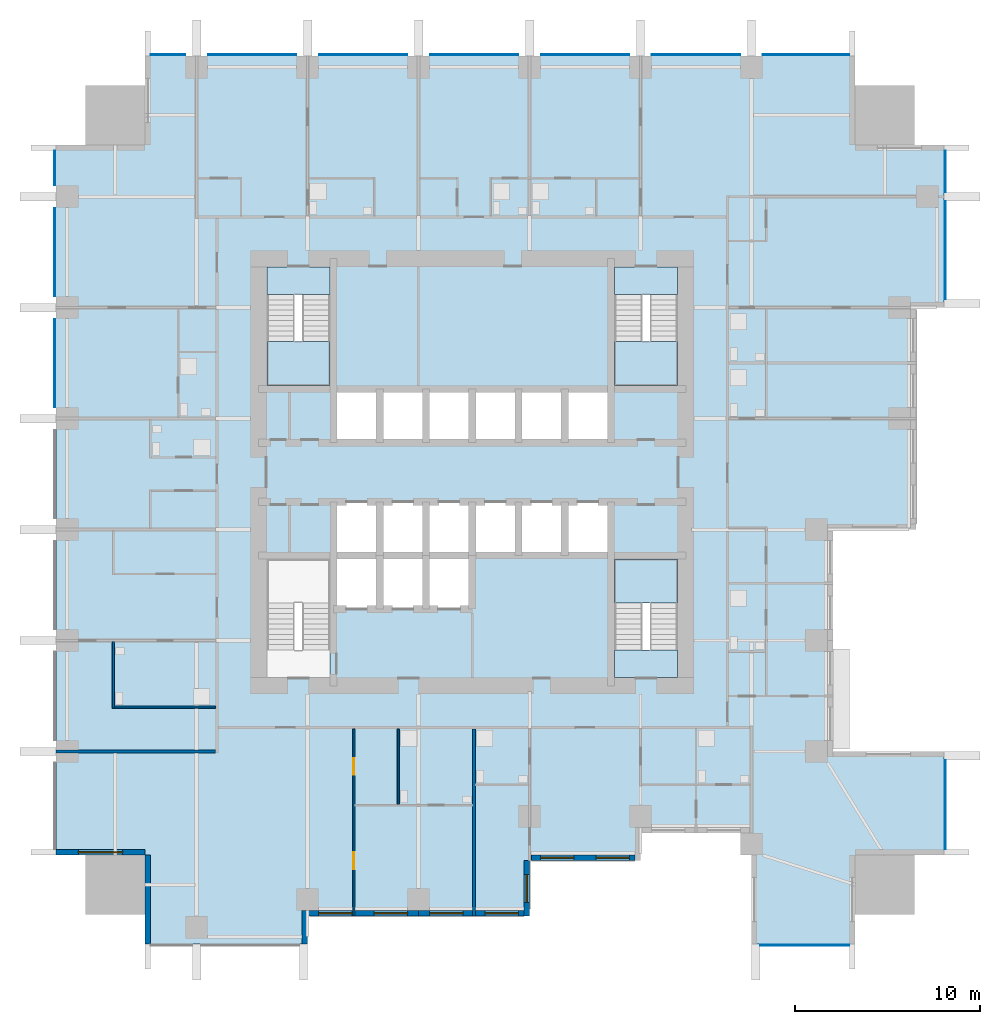
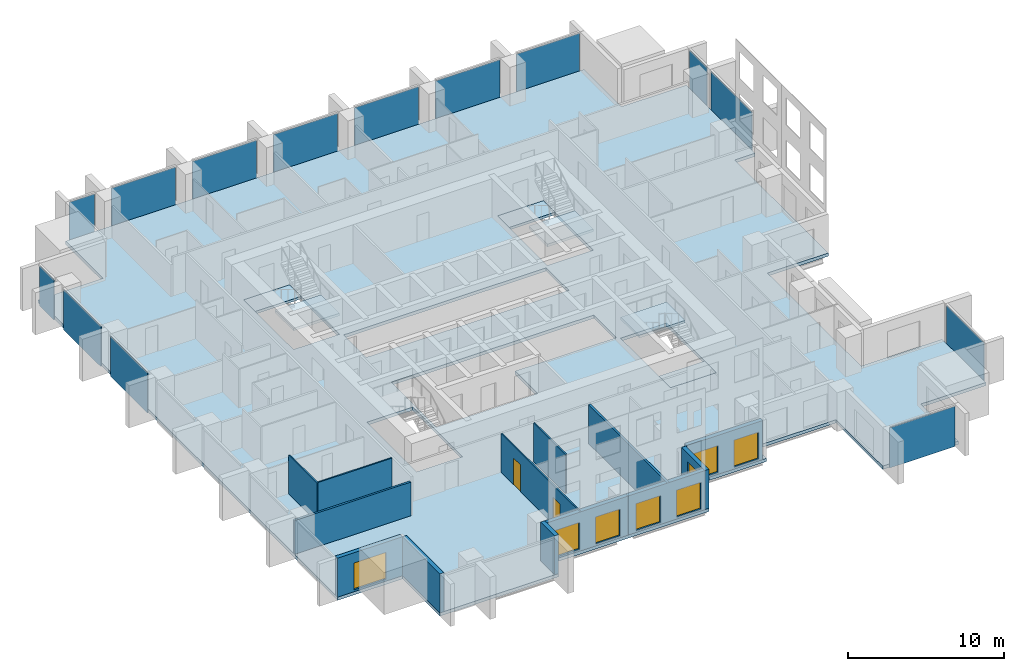
# One storey, part 3 of 11: 14 plates, 13 walls, 8 windows, 7 slabs, 2 doors, 10 openings, 8 elements without a shape of their own.
"""IFC4 building model written with IfcOpenShell, lengths in metres."""

from ifc_helpers import new_model, si_unit, direction, frame, frame_2d, origin, origin_2d, place, context, subcontext, project, spatial, polyline, rectangle, outline, extrude, material, layer, layer_set, type_object, element, fill, aggregate, save


model = new_model("IFC4")

# Units and contexts
model_context = context("Model", 3, precision=1e-05, world=origin(), true_north=direction((0.0, 1.0)))
body_context = subcontext(model_context, "Body", "Model", "MODEL_VIEW")
ifc_project = project(units=[si_unit("LENGTHUNIT", "METRE"), si_unit("AREAUNIT", "SQUARE_METRE"), si_unit("VOLUMEUNIT", "CUBIC_METRE"), si_unit("PLANEANGLEUNIT", "RADIAN"), si_unit("MASSUNIT", "GRAM", prefix="KILO")], contexts=[model_context])

# Site, building, storey
site_placement = place(None, origin())
site = spatial("IfcSite", under=ifc_project, at=site_placement, CompositionType="ELEMENT")
building_placement = place(site_placement, origin())
building = spatial("IfcBuilding", under=site, at=building_placement, Name="Amberfall Residences", CompositionType="ELEMENT")
storey_placement = place(building_placement, frame((0.0, 0.0, 59.800048828125)))
storey = spatial("IfcBuildingStorey", under=building, at=storey_placement, Name="L16", CompositionType="ELEMENT", Elevation=59.800048828125)

# Curtain wall, plate
ifc_material_1 = material(Name="Bronze anodised aluminium and glass", Category="aluminium")
curtain_wall_type = type_object("IfcCurtainWallType", Name="Curtain wall CW1 tower unit", PredefinedType="USERDEFINED", material=ifc_material_1)
curtain_wall_1_placement = place(storey_placement, origin())
curtain_wall_1 = element("IfcCurtainWall", 1, at=curtain_wall_1_placement, inside=storey, type_object=curtain_wall_type, Name="Curtain wall L16 S S10", ObjectType="UNITISED CURTAIN WALL", PredefinedType="USERDEFINED")
ifc_material_2 = material(Name="Tinted double glazed unit", Category="glass")
ifc_layer_1 = layer(ifc_material_2, 0.035888671875)
ifc_layer_set_1 = layer_set([ifc_layer_1], Name="CW1 panel 36 glazing")
plate_type = type_object("IfcPlateType", Name="CW1 panel 36 glazing", PredefinedType="CURTAIN_PANEL", material=ifc_layer_set_1)
plate_1_placement = place(storey_placement, frame((92.47509765625, 19.925048828125, -0.25), z_axis=(0.0, 0.0, 1.0), x_axis=(1.0, 0.0, 0.0)))
plate_1 = element("IfcPlate", 2, at=plate_1_placement, type_object=plate_type, Name="CW1 panel 1.1", PredefinedType="CURTAIN_PANEL", context=body_context, shape_type="SweptSolid", body=[
    extrude(rectangle(XDim=4.825927734375, YDim=0.035888671875, at=origin_2d()), origin(), (0.0, 0.0, 1.0), 3.14990234375),
])
aggregate(curtain_wall_1, [plate_1])

curtain_wall_2_placement = place(storey_placement, origin())
curtain_wall_2 = element("IfcCurtainWall", 3, at=curtain_wall_2_placement, inside=storey, type_object=curtain_wall_type, Name="Curtain wall L16 E E1", ObjectType="UNITISED CURTAIN WALL", PredefinedType="USERDEFINED")
plate_2_placement = place(storey_placement, frame((100.074951171875, 27.52490234375, -0.25), z_axis=(0.0, 0.0, 1.0), x_axis=(0.0, 1.0, 0.0)))
plate_2 = element("IfcPlate", 4, at=plate_2_placement, type_object=plate_type, Name="CW1 panel 1.1", PredefinedType="CURTAIN_PANEL", context=body_context, shape_type="SweptSolid", body=[
    extrude(rectangle(XDim=4.825927734375, YDim=0.035888671875, at=origin_2d()), origin(), (0.0, 0.0, 1.0), 3.14990234375),
])
aggregate(curtain_wall_2, [plate_2])

# Curtain wall, plates
curtain_wall_3_placement = place(storey_placement, origin())
curtain_wall_3 = element("IfcCurtainWall", 5, at=curtain_wall_3_placement, inside=storey, type_object=curtain_wall_type, Name="Curtain wall L16 E E9", ObjectType="UNITISED CURTAIN WALL", PredefinedType="USERDEFINED")
plate_3_placement = place(storey_placement, frame((100.074951171875, 57.512451171875, -0.25), z_axis=(0.0, 0.0, 1.0), x_axis=(0.0, 1.0, 0.0)))
plate_3 = element("IfcPlate", 6, at=plate_3_placement, type_object=plate_type, Name="CW1 panel 1.1", PredefinedType="CURTAIN_PANEL", context=body_context, shape_type="SweptSolid", body=[
    extrude(rectangle(XDim=5.301025390625, YDim=0.035888671875, at=origin_2d()), origin(), (0.0, 0.0, 1.0), 3.14990234375),
])
plate_4_placement = place(storey_placement, frame((100.074951171875, 61.762451171875, -0.25), z_axis=(0.0, 0.0, 1.0), x_axis=(0.0, 1.0, 0.0)))
plate_4 = element("IfcPlate", 7, at=plate_4_placement, type_object=plate_type, Name="CW1 panel 2.1", PredefinedType="CURTAIN_PANEL", context=body_context, shape_type="SweptSolid", body=[
    extrude(rectangle(XDim=2.2509765625, YDim=0.035888671875, at=origin_2d()), origin(), (0.0, 0.0, 1.0), 3.14990234375),
])
aggregate(curtain_wall_3, [plate_3, plate_4])

curtain_wall_4_placement = place(storey_placement, origin())
curtain_wall_4 = element("IfcCurtainWall", 8, at=curtain_wall_4_placement, inside=storey, type_object=curtain_wall_type, Name="Curtain wall L16 N N1", ObjectType="UNITISED CURTAIN WALL", PredefinedType="USERDEFINED")
plate_5_placement = place(storey_placement, frame((92.552490234375, 68.074951171875, -0.25), z_axis=(0.0, 0.0, 1.0), x_axis=(-1.0, 0.0, 0.0)))
plate_5 = element("IfcPlate", 9, at=plate_5_placement, type_object=plate_type, Name="CW1 panel 1.1", PredefinedType="CURTAIN_PANEL", context=body_context, shape_type="SweptSolid", body=[
    extrude(rectangle(XDim=4.6708984375, YDim=0.035888671875, at=origin_2d()), origin(), (0.0, 0.0, 1.0), 3.14990234375),
])
plate_6_placement = place(storey_placement, frame((86.60009765625, 68.074951171875, -0.25), z_axis=(0.0, 0.0, 1.0), x_axis=(-1.0, 0.0, 0.0)))
plate_6 = element("IfcPlate", 10, at=plate_6_placement, type_object=plate_type, Name="CW1 panel 2.1", PredefinedType="CURTAIN_PANEL", context=body_context, shape_type="SweptSolid", body=[
    extrude(rectangle(XDim=4.76611328125, YDim=0.035888671875, at=origin_2d()), origin(), (0.0, 0.0, 1.0), 3.14990234375),
])
plate_7_placement = place(storey_placement, frame((80.60009765625, 68.074951171875, -0.25), z_axis=(0.0, 0.0, 1.0), x_axis=(-1.0, 0.0, 0.0)))
plate_7 = element("IfcPlate", 11, at=plate_7_placement, type_object=plate_type, Name="CW1 panel 3.1", PredefinedType="CURTAIN_PANEL", context=body_context, shape_type="SweptSolid", body=[
    extrude(rectangle(XDim=4.76611328125, YDim=0.035888671875, at=origin_2d()), origin(), (0.0, 0.0, 1.0), 3.14990234375),
])
plate_8_placement = place(storey_placement, frame((74.60009765625, 68.074951171875, -0.25), z_axis=(0.0, 0.0, 1.0), x_axis=(-1.0, 0.0, 0.0)))
plate_8 = element("IfcPlate", 12, at=plate_8_placement, type_object=plate_type, Name="CW1 panel 4.1", PredefinedType="CURTAIN_PANEL", context=body_context, shape_type="SweptSolid", body=[
    extrude(rectangle(XDim=4.76611328125, YDim=0.035888671875, at=origin_2d()), origin(), (0.0, 0.0, 1.0), 3.14990234375),
])
plate_9_placement = place(storey_placement, frame((68.60009765625, 68.074951171875, -0.25), z_axis=(0.0, 0.0, 1.0), x_axis=(-1.0, 0.0, 0.0)))
plate_9 = element("IfcPlate", 13, at=plate_9_placement, type_object=plate_type, Name="CW1 panel 5.1", PredefinedType="CURTAIN_PANEL", context=body_context, shape_type="SweptSolid", body=[
    extrude(rectangle(XDim=4.76611328125, YDim=0.035888671875, at=origin_2d()), origin(), (0.0, 0.0, 1.0), 3.14990234375),
])
plate_10_placement = place(storey_placement, frame((62.60009765625, 68.074951171875, -0.25), z_axis=(0.0, 0.0, 1.0), x_axis=(-1.0, 0.0, 0.0)))
plate_10 = element("IfcPlate", 14, at=plate_10_placement, type_object=plate_type, Name="CW1 panel 6.1", PredefinedType="CURTAIN_PANEL", context=body_context, shape_type="SweptSolid", body=[
    extrude(rectangle(XDim=4.76611328125, YDim=0.035888671875, at=origin_2d()), origin(), (0.0, 0.0, 1.0), 3.14990234375),
])
plate_11_placement = place(storey_placement, frame((58.047607421875, 68.074951171875, -0.25), z_axis=(0.0, 0.0, 1.0), x_axis=(-1.0, 0.0, 0.0)))
plate_11 = element("IfcPlate", 15, at=plate_11_placement, type_object=plate_type, Name="CW1 panel 7.1", PredefinedType="CURTAIN_PANEL", context=body_context, shape_type="SweptSolid", body=[
    extrude(rectangle(XDim=1.87109375, YDim=0.035888671875, at=origin_2d()), origin(), (0.0, 0.0, 1.0), 3.14990234375),
])
aggregate(curtain_wall_4, [plate_5, plate_6, plate_7, plate_8, plate_9, plate_10, plate_11])

curtain_wall_5_placement = place(storey_placement, origin())
curtain_wall_5 = element("IfcCurtainWall", 16, at=curtain_wall_5_placement, inside=storey, type_object=curtain_wall_type, Name="Curtain wall L16 W W1", ObjectType="UNITISED CURTAIN WALL", PredefinedType="USERDEFINED")
plate_12_placement = place(storey_placement, frame((51.925048828125, 61.952392578125, -0.25), z_axis=(0.0, 0.0, 1.0), x_axis=(0.0, -1.0, 0.0)))
plate_12 = element("IfcPlate", 17, at=plate_12_placement, type_object=plate_type, Name="CW1 panel 1.1", PredefinedType="CURTAIN_PANEL", context=body_context, shape_type="SweptSolid", body=[
    extrude(rectangle(XDim=1.87109375, YDim=0.035888671875, at=origin_2d()), origin(), (0.0, 0.0, 1.0), 3.14990234375),
])
plate_13_placement = place(storey_placement, frame((51.925048828125, 57.39990234375, -0.25), z_axis=(0.0, 0.0, 1.0), x_axis=(0.0, -1.0, 0.0)))
plate_13 = element("IfcPlate", 18, at=plate_13_placement, type_object=plate_type, Name="CW1 panel 2.1", PredefinedType="CURTAIN_PANEL", context=body_context, shape_type="SweptSolid", body=[
    extrude(rectangle(XDim=4.76611328125, YDim=0.035888671875, at=origin_2d()), origin(), (0.0, 0.0, 1.0), 3.14990234375),
])
plate_14_placement = place(storey_placement, frame((51.925048828125, 51.39990234375, -0.25), z_axis=(0.0, 0.0, 1.0), x_axis=(0.0, -1.0, 0.0)))
plate_14 = element("IfcPlate", 19, at=plate_14_placement, type_object=plate_type, Name="CW1 panel 3.1", PredefinedType="CURTAIN_PANEL", context=body_context, shape_type="SweptSolid", body=[
    extrude(rectangle(XDim=4.76611328125, YDim=0.035888671875, at=origin_2d()), origin(), (0.0, 0.0, 1.0), 3.14990234375),
])
aggregate(curtain_wall_5, [plate_12, plate_13, plate_14])

# Slab
ifc_material_3 = material(Name="Concrete C80", Category="concrete")
ifc_layer_2 = layer(ifc_material_3, 0.25)
ifc_layer_set_2 = layer_set([ifc_layer_2], Name="Floor slab 250 C80")
slab_type_1 = type_object("IfcSlabType", Name="Floor slab 250 C80", PredefinedType="FLOOR", material=ifc_layer_set_2)
slab_1_placement = place(storey_placement, frame((0.0, 0.0, -0.25)))
element("IfcSlab", 20, at=slab_1_placement, inside=storey, type_object=slab_type_1, Name="Floor slab S3 L16", PredefinedType="FLOOR", context=body_context, shape_type="SweptSolid", body=[
    extrude(outline(polyline([(89.60009765625, 20.0), (89.60009765625, 26.0), (83.60009765625, 26.0), (83.60009765625, 24.5), (77.60009765625, 24.5), (77.60009765625, 21.5), (71.60009765625, 21.5), (65.60009765625, 21.5), (65.60009765625, 20.0), (56.800048828125, 20.0), (56.800048828125, 24.800048828125), (52.0, 24.800048828125), (52.0, 63.199951171875), (56.800048828125, 63.199951171875), (56.800048828125, 68.0), (95.199951171875, 68.0), (95.199951171875, 63.199951171875), (100.0, 63.199951171875), (100.0, 54.39990234375), (98.5, 54.39990234375), (98.5, 48.39990234375), (98.5, 42.39990234375), (94.0, 42.39990234375), (94.0, 36.39990234375), (94.0, 30.39990234375), (100.0, 30.39990234375), (100.0, 24.800048828125), (95.199951171875, 24.800048828125), (95.199951171875, 20.0), (89.60009765625, 20.0)]), holes=[polyline([(85.60009765625, 34.39990234375), (85.60009765625, 40.800048828125), (82.199951171875, 40.800048828125), (82.199951171875, 34.39990234375), (85.60009765625, 34.39990234375)]), polyline([(82.199951171875, 50.199951171875), (85.60009765625, 50.199951171875), (85.60009765625, 56.60009765625), (82.199951171875, 56.60009765625), (82.199951171875, 50.199951171875)]), polyline([(69.5, 50.0), (67.0, 50.0), (67.0, 47.10009765625), (69.5, 47.10009765625), (72.0, 47.10009765625), (74.5, 47.10009765625), (77.0, 47.10009765625), (79.5, 47.10009765625), (82.0, 47.10009765625), (82.0, 50.0), (79.5, 50.0), (77.0, 50.0), (74.5, 50.0), (72.0, 50.0), (69.5, 50.0)]), polyline([(74.5, 41.0), (77.0, 41.0), (79.5, 41.0), (82.0, 41.0), (82.0, 43.89990234375), (79.5, 43.89990234375), (77.0, 43.89990234375), (74.5, 43.89990234375), (72.0, 43.89990234375), (69.5, 43.89990234375), (67.0, 43.89990234375), (67.0, 41.0), (67.0, 38.10009765625), (69.5, 38.10009765625), (72.0, 38.10009765625), (74.5, 38.10009765625), (74.5, 41.0)]), polyline([(66.800048828125, 34.39990234375), (66.800048828125, 40.800048828125), (63.39990234375, 40.800048828125), (63.39990234375, 34.39990234375), (66.800048828125, 34.39990234375)]), polyline([(66.800048828125, 50.199951171875), (66.800048828125, 56.60009765625), (63.39990234375, 56.60009765625), (63.39990234375, 50.199951171875), (66.800048828125, 50.199951171875)])]), origin(), (0.0, 0.0, 1.0), 0.25),
])

# Stair, slabs
ifc_material_4 = material(Name="Concrete C40", Category="concrete")
stair_type = type_object("IfcStairType", Name="Exit stair 20 risers 165.0 mm", PredefinedType="HALF_TURN_STAIR", material=ifc_material_4)
stair_1_placement = place(storey_placement, origin())
stair_1 = element("IfcStair", 21, at=stair_1_placement, inside=storey, type_object=stair_type, Name="L16 Exit stair 2", PredefinedType="HALF_TURN_STAIR")
ifc_layer_3 = layer(ifc_material_4, 0.199951171875)
ifc_layer_set_3 = layer_set([ifc_layer_3], Name="Stair landing 200")
slab_type_2 = type_object("IfcSlabType", Name="Stair landing 200", PredefinedType="LANDING", material=ifc_layer_set_3)
slab_2_placement = place(storey_placement, frame((0.0, 0.0, 1.449951171875)))
slab_2 = element("IfcSlab", 22, at=slab_2_placement, type_object=slab_type_2, Name="ST3 landing 1", PredefinedType="LANDING", context=body_context, shape_type="SweptSolid", body=[
    extrude(outline(polyline([(85.60009765625, 38.419921875), (85.60009765625, 40.800048828125), (82.199951171875, 40.800048828125), (82.199951171875, 38.419921875), (85.60009765625, 38.419921875)])), origin(), (0.0, 0.0, 1.0), 0.199951171875),
])
slab_3_placement = place(storey_placement, frame((0.0, 0.0, -0.199951171875)))
slab_3 = element("IfcSlab", 23, at=slab_3_placement, type_object=slab_type_2, Name="ST3 landing 2", PredefinedType="LANDING", context=body_context, shape_type="SweptSolid", body=[
    extrude(outline(polyline([(85.60009765625, 34.39990234375), (85.60009765625, 35.89990234375), (82.199951171875, 35.89990234375), (82.199951171875, 34.39990234375), (85.60009765625, 34.39990234375)])), origin(), (0.0, 0.0, 1.0), 0.199951171875),
])
aggregate(stair_1, [slab_2, slab_3])

stair_2_placement = place(storey_placement, origin())
stair_2 = element("IfcStair", 24, at=stair_2_placement, inside=storey, type_object=stair_type, Name="L16 Exit stair 3", PredefinedType="HALF_TURN_STAIR")
slab_4_placement = place(storey_placement, frame((0.0, 0.0, 1.449951171875)))
slab_4 = element("IfcSlab", 25, at=slab_4_placement, type_object=slab_type_2, Name="ST3 landing 1", PredefinedType="LANDING", context=body_context, shape_type="SweptSolid", body=[
    extrude(outline(polyline([(82.199951171875, 52.580078125), (82.199951171875, 50.199951171875), (85.60009765625, 50.199951171875), (85.60009765625, 52.580078125), (82.199951171875, 52.580078125)])), origin(), (0.0, 0.0, 1.0), 0.199951171875),
])
slab_5_placement = place(storey_placement, frame((0.0, 0.0, -0.199951171875)))
slab_5 = element("IfcSlab", 26, at=slab_5_placement, type_object=slab_type_2, Name="ST3 landing 2", PredefinedType="LANDING", context=body_context, shape_type="SweptSolid", body=[
    extrude(outline(polyline([(82.199951171875, 56.60009765625), (82.199951171875, 55.10009765625), (85.60009765625, 55.10009765625), (85.60009765625, 56.60009765625), (82.199951171875, 56.60009765625)])), origin(), (0.0, 0.0, 1.0), 0.199951171875),
])
aggregate(stair_2, [slab_4, slab_5])

stair_3_placement = place(storey_placement, origin())
stair_3 = element("IfcStair", 27, at=stair_3_placement, inside=storey, type_object=stair_type, Name="L16 Exit stair 4", PredefinedType="HALF_TURN_STAIR")
slab_6_placement = place(storey_placement, frame((0.0, 0.0, 1.449951171875)))
slab_6 = element("IfcSlab", 28, at=slab_6_placement, type_object=slab_type_2, Name="ST3 landing 1", PredefinedType="LANDING", context=body_context, shape_type="SweptSolid", body=[
    extrude(outline(polyline([(63.39990234375, 52.580078125), (63.39990234375, 50.199951171875), (66.800048828125, 50.199951171875), (66.800048828125, 52.580078125), (63.39990234375, 52.580078125)])), origin(), (0.0, 0.0, 1.0), 0.199951171875),
])
slab_7_placement = place(storey_placement, frame((0.0, 0.0, -0.199951171875)))
slab_7 = element("IfcSlab", 29, at=slab_7_placement, type_object=slab_type_2, Name="ST3 landing 2", PredefinedType="LANDING", context=body_context, shape_type="SweptSolid", body=[
    extrude(outline(polyline([(63.39990234375, 56.60009765625), (63.39990234375, 55.10009765625), (66.800048828125, 55.10009765625), (66.800048828125, 56.60009765625), (63.39990234375, 56.60009765625)])), origin(), (0.0, 0.0, 1.0), 0.199951171875),
])
aggregate(stair_3, [slab_6, slab_7])

# Wall
ifc_material_5 = material(Name="Pale stone cladding on insulated backing", Category="masonry")
ifc_layer_4 = layer(ifc_material_5, 0.300048828125)
ifc_layer_set_4 = layer_set([ifc_layer_4], Name="Bronze clad wall 300")
wall_type_1 = type_object("IfcWallType", Name="Bronze clad wall 300", PredefinedType="SOLIDWALL", material=ifc_layer_set_4)
wall_1_placement = place(storey_placement, frame((65.449951171875, 20.0, 0.0), z_axis=(0.0, 0.0, 1.0), x_axis=(0.0, 1.0, 0.0)))
element("IfcWall", 30, at=wall_1_placement, inside=storey, type_object=wall_type_1, Name="External wall L16 S", PredefinedType="SOLIDWALL", context=body_context, shape_type="SweptSolid", body=[
    extrude(rectangle(XDim=1.800048828125, YDim=0.300048828125, at=frame_2d((0.89990234375, 0.0))), origin(), (0.0, 0.0, 1.0), 3.050048828125),
])

# Wall, opening, window
wall_2_placement = place(storey_placement, frame((77.449951171875, 21.5, 0.0), z_axis=(0.0, 0.0, 1.0), x_axis=(0.0, 1.0, 0.0)))
wall_2 = element("IfcWall", 31, at=wall_2_placement, inside=storey, type_object=wall_type_1, Name="External wall L16 S", PredefinedType="SOLIDWALL", context=body_context, shape_type="SweptSolid", body=[
    extrude(rectangle(XDim=3.0, YDim=0.300048828125, at=frame_2d((1.5, 0.0))), origin(), (0.0, 0.0, 1.0), 3.050048828125),
])
opening_1_placement = place(wall_2_placement, frame((0.75, 0.0, 0.89990234375)))
opening_1 = element("IfcOpeningElement", 32, at=opening_1_placement, cuts=wall_2, Name="Opening WN1", PredefinedType="OPENING", context=body_context, shape_type="SweptSolid", body=[
    extrude(rectangle(XDim=1.5, YDim=1.5, at=frame_2d((0.75, 0.75))), frame((0.0, 0.159912109375, 0.0), z_axis=(0.0, -1.0, 0.0), x_axis=(1.0, 0.0, 0.0)), (0.0, 0.0, 1.0), 0.320068359375),
])
ifc_material_6 = material(Name="Bronze aluminium framed glazing", Category="aluminium")
window_type_1 = type_object("IfcWindowType", Name="Window 1500 x 1500 bronze", PartitioningType="DOUBLE_PANEL_VERTICAL", PredefinedType="WINDOW", material=ifc_material_6)
window_1_placement = place(opening_1_placement, origin())
window_1 = element("IfcWindow", 33, at=window_1_placement, inside=storey, type_object=window_type_1, Name="Window L16 S", OverallHeight=1.5, OverallWidth=1.5, PartitioningType="DOUBLE_PANEL_VERTICAL", PredefinedType="WINDOW", context=body_context, shape_type="SweptSolid", body=[
    extrude(rectangle(XDim=1.5, YDim=1.5, at=frame_2d((0.75, 0.75))), frame((0.0, 0.030029296875, 0.0), z_axis=(0.0, -1.0, 0.0), x_axis=(1.0, 0.0, 0.0)), (0.0, 0.0, 1.0), 0.06005859375),
])
fill(opening_1, window_1)

wall_3_placement = place(storey_placement, frame((52.0, 24.949951171875, 0.0), z_axis=(0.0, 0.0, 1.0), x_axis=(1.0, 0.0, 0.0)))
wall_3 = element("IfcWall", 34, at=wall_3_placement, inside=storey, type_object=wall_type_1, Name="External wall L16 SW", PredefinedType="SOLIDWALL", context=body_context, shape_type="SweptSolid", body=[
    extrude(rectangle(XDim=4.800048828125, YDim=0.300048828125, at=frame_2d((2.39990234375, 0.0))), origin(), (0.0, 0.0, 1.0), 3.050048828125),
])
opening_2_placement = place(wall_3_placement, frame((1.199951171875, 0.0, 0.14990234375)))
opening_2 = element("IfcOpeningElement", 35, at=opening_2_placement, cuts=wall_3, Name="Opening WN5", PredefinedType="OPENING", context=body_context, shape_type="SweptSolid", body=[
    extrude(rectangle(XDim=2.39990234375, YDim=2.10009765625, at=frame_2d((1.199951171875, 1.050048828125))), frame((0.0, 0.159912109375, 0.0), z_axis=(0.0, -1.0, 0.0), x_axis=(1.0, 0.0, 0.0)), (0.0, 0.0, 1.0), 0.320068359375),
])
window_type_2 = type_object("IfcWindowType", Name="Glazed opening 2400 x 2100 bronze", PartitioningType="DOUBLE_PANEL_VERTICAL", PredefinedType="WINDOW", material=ifc_material_6)
window_2_placement = place(opening_2_placement, origin())
window_2 = element("IfcWindow", 36, at=window_2_placement, inside=storey, type_object=window_type_2, Name="Window L16 SW", OverallHeight=2.10009765625, OverallWidth=2.39990234375, PartitioningType="DOUBLE_PANEL_VERTICAL", PredefinedType="WINDOW", context=body_context, shape_type="SweptSolid", body=[
    extrude(rectangle(XDim=2.39990234375, YDim=2.10009765625, at=frame_2d((1.199951171875, 1.050048828125))), frame((0.0, 0.030029296875, 0.0), z_axis=(0.0, -1.0, 0.0), x_axis=(1.0, 0.0, 0.0)), (0.0, 0.0, 1.0), 0.06005859375),
])
fill(opening_2, window_2)

# Wall
wall_4_placement = place(storey_placement, frame((56.949951171875, 24.800048828125, 0.0), z_axis=(0.0, 0.0, 1.0), x_axis=(0.0, -1.0, 0.0)))
element("IfcWall", 37, at=wall_4_placement, inside=storey, type_object=wall_type_1, Name="External wall L16 SW", PredefinedType="SOLIDWALL", context=body_context, shape_type="SweptSolid", body=[
    extrude(rectangle(XDim=4.800048828125, YDim=0.300048828125, at=frame_2d((2.39990234375, 0.0))), origin(), (0.0, 0.0, 1.0), 3.050048828125),
])

# Wall, openings, windows
wall_5_placement = place(storey_placement, frame((65.60009765625, 21.64990234375, 0.0), z_axis=(0.0, 0.0, 1.0), x_axis=(1.0, 0.0, 0.0)))
wall_5 = element("IfcWall", 38, at=wall_5_placement, inside=storey, type_object=wall_type_1, Name="Stone wall L16 S", PredefinedType="SOLIDWALL", context=body_context, shape_type="SweptSolid", body=[
    extrude(rectangle(XDim=6.0, YDim=0.300048828125, at=frame_2d((3.0, 0.0))), origin(), (0.0, 0.0, 1.0), 3.050048828125),
])
opening_3_placement = place(wall_5_placement, frame((0.60009765625, 0.0, 0.14990234375)))
opening_3 = element("IfcOpeningElement", 39, at=opening_3_placement, cuts=wall_5, Name="Opening WN6", PredefinedType="OPENING", context=body_context, shape_type="SweptSolid", body=[
    extrude(rectangle(XDim=1.800048828125, YDim=2.10009765625, at=frame_2d((0.89990234375, 1.050048828125))), frame((0.0, 0.159912109375, 0.0), z_axis=(0.0, -1.0, 0.0), x_axis=(1.0, 0.0, 0.0)), (0.0, 0.0, 1.0), 0.320068359375),
])
opening_4_placement = place(wall_5_placement, frame((3.60009765625, 0.0, 0.14990234375)))
opening_4 = element("IfcOpeningElement", 40, at=opening_4_placement, cuts=wall_5, Name="Opening WN6", PredefinedType="OPENING", context=body_context, shape_type="SweptSolid", body=[
    extrude(rectangle(XDim=1.800048828125, YDim=2.10009765625, at=frame_2d((0.89990234375, 1.050048828125))), frame((0.0, 0.159912109375, 0.0), z_axis=(0.0, -1.0, 0.0), x_axis=(1.0, 0.0, 0.0)), (0.0, 0.0, 1.0), 0.320068359375),
])
window_type_3 = type_object("IfcWindowType", Name="Glazed opening 1800 x 2100 bronze", PartitioningType="DOUBLE_PANEL_VERTICAL", PredefinedType="WINDOW", material=ifc_material_6)
window_3_placement = place(opening_3_placement, origin())
window_3 = element("IfcWindow", 41, at=window_3_placement, inside=storey, type_object=window_type_3, Name="Window L16 S", OverallHeight=2.10009765625, OverallWidth=1.800048828125, PartitioningType="DOUBLE_PANEL_VERTICAL", PredefinedType="WINDOW", context=body_context, shape_type="SweptSolid", body=[
    extrude(rectangle(XDim=1.800048828125, YDim=2.10009765625, at=frame_2d((0.89990234375, 1.050048828125))), frame((0.0, 0.030029296875, 0.0), z_axis=(0.0, -1.0, 0.0), x_axis=(1.0, 0.0, 0.0)), (0.0, 0.0, 1.0), 0.06005859375),
])
fill(opening_3, window_3)
window_4_placement = place(opening_4_placement, origin())
window_4 = element("IfcWindow", 42, at=window_4_placement, inside=storey, type_object=window_type_3, Name="Window L16 S", OverallHeight=2.10009765625, OverallWidth=1.800048828125, PartitioningType="DOUBLE_PANEL_VERTICAL", PredefinedType="WINDOW", context=body_context, shape_type="SweptSolid", body=[
    extrude(rectangle(XDim=1.800048828125, YDim=2.10009765625, at=frame_2d((0.89990234375, 1.050048828125))), frame((0.0, 0.030029296875, 0.0), z_axis=(0.0, -1.0, 0.0), x_axis=(1.0, 0.0, 0.0)), (0.0, 0.0, 1.0), 0.06005859375),
])
fill(opening_4, window_4)

wall_6_placement = place(storey_placement, frame((71.60009765625, 21.64990234375, 0.0), z_axis=(0.0, 0.0, 1.0), x_axis=(1.0, 0.0, 0.0)))
wall_6 = element("IfcWall", 43, at=wall_6_placement, inside=storey, type_object=wall_type_1, Name="Stone wall L16 S", PredefinedType="SOLIDWALL", context=body_context, shape_type="SweptSolid", body=[
    extrude(rectangle(XDim=5.699951171875, YDim=0.300048828125, at=frame_2d((2.85009765625, 0.0))), origin(), (0.0, 0.0, 1.0), 3.050048828125),
])
opening_5_placement = place(wall_6_placement, frame((0.60009765625, 0.0, 0.14990234375)))
opening_5 = element("IfcOpeningElement", 44, at=opening_5_placement, cuts=wall_6, Name="Opening WN6", PredefinedType="OPENING", context=body_context, shape_type="SweptSolid", body=[
    extrude(rectangle(XDim=1.800048828125, YDim=2.10009765625, at=frame_2d((0.89990234375, 1.050048828125))), frame((0.0, 0.159912109375, 0.0), z_axis=(0.0, -1.0, 0.0), x_axis=(1.0, 0.0, 0.0)), (0.0, 0.0, 1.0), 0.320068359375),
])
opening_6_placement = place(wall_6_placement, frame((3.60009765625, 0.0, 0.14990234375)))
opening_6 = element("IfcOpeningElement", 45, at=opening_6_placement, cuts=wall_6, Name="Opening WN6", PredefinedType="OPENING", context=body_context, shape_type="SweptSolid", body=[
    extrude(rectangle(XDim=1.800048828125, YDim=2.10009765625, at=frame_2d((0.89990234375, 1.050048828125))), frame((0.0, 0.159912109375, 0.0), z_axis=(0.0, -1.0, 0.0), x_axis=(1.0, 0.0, 0.0)), (0.0, 0.0, 1.0), 0.320068359375),
])
window_5_placement = place(opening_5_placement, origin())
window_5 = element("IfcWindow", 46, at=window_5_placement, inside=storey, type_object=window_type_3, Name="Window L16 S", OverallHeight=2.10009765625, OverallWidth=1.800048828125, PartitioningType="DOUBLE_PANEL_VERTICAL", PredefinedType="WINDOW", context=body_context, shape_type="SweptSolid", body=[
    extrude(rectangle(XDim=1.800048828125, YDim=2.10009765625, at=frame_2d((0.89990234375, 1.050048828125))), frame((0.0, 0.030029296875, 0.0), z_axis=(0.0, -1.0, 0.0), x_axis=(1.0, 0.0, 0.0)), (0.0, 0.0, 1.0), 0.06005859375),
])
fill(opening_5, window_5)
window_6_placement = place(opening_6_placement, origin())
window_6 = element("IfcWindow", 47, at=window_6_placement, inside=storey, type_object=window_type_3, Name="Window L16 S", OverallHeight=2.10009765625, OverallWidth=1.800048828125, PartitioningType="DOUBLE_PANEL_VERTICAL", PredefinedType="WINDOW", context=body_context, shape_type="SweptSolid", body=[
    extrude(rectangle(XDim=1.800048828125, YDim=2.10009765625, at=frame_2d((0.89990234375, 1.050048828125))), frame((0.0, 0.030029296875, 0.0), z_axis=(0.0, -1.0, 0.0), x_axis=(1.0, 0.0, 0.0)), (0.0, 0.0, 1.0), 0.06005859375),
])
fill(opening_6, window_6)

wall_7_placement = place(storey_placement, frame((77.68994140625, 24.64990234375, 0.0), z_axis=(0.0, 0.0, 1.0), x_axis=(1.0, 0.0, 0.0)))
wall_7 = element("IfcWall", 48, at=wall_7_placement, inside=storey, type_object=wall_type_1, Name="Stone wall L16 S", PredefinedType="SOLIDWALL", context=body_context, shape_type="SweptSolid", body=[
    extrude(rectangle(XDim=5.610107421875, YDim=0.300048828125, at=frame_2d((2.80517578125, 0.0))), origin(), (0.0, 0.0, 1.0), 3.050048828125),
])
opening_7_placement = place(wall_7_placement, frame((0.510009765625, 0.0, 0.14990234375)))
opening_7 = element("IfcOpeningElement", 49, at=opening_7_placement, cuts=wall_7, Name="Opening WN6", PredefinedType="OPENING", context=body_context, shape_type="SweptSolid", body=[
    extrude(rectangle(XDim=1.800048828125, YDim=2.10009765625, at=frame_2d((0.89990234375, 1.050048828125))), frame((0.0, 0.159912109375, 0.0), z_axis=(0.0, -1.0, 0.0), x_axis=(1.0, 0.0, 0.0)), (0.0, 0.0, 1.0), 0.320068359375),
])
opening_8_placement = place(wall_7_placement, frame((3.510009765625, 0.0, 0.14990234375)))
opening_8 = element("IfcOpeningElement", 50, at=opening_8_placement, cuts=wall_7, Name="Opening WN6", PredefinedType="OPENING", context=body_context, shape_type="SweptSolid", body=[
    extrude(rectangle(XDim=1.800048828125, YDim=2.10009765625, at=frame_2d((0.89990234375, 1.050048828125))), frame((0.0, 0.159912109375, 0.0), z_axis=(0.0, -1.0, 0.0), x_axis=(1.0, 0.0, 0.0)), (0.0, 0.0, 1.0), 0.320068359375),
])
window_7_placement = place(opening_7_placement, origin())
window_7 = element("IfcWindow", 51, at=window_7_placement, inside=storey, type_object=window_type_3, Name="Window L16 S", OverallHeight=2.10009765625, OverallWidth=1.800048828125, PartitioningType="DOUBLE_PANEL_VERTICAL", PredefinedType="WINDOW", context=body_context, shape_type="SweptSolid", body=[
    extrude(rectangle(XDim=1.800048828125, YDim=2.10009765625, at=frame_2d((0.89990234375, 1.050048828125))), frame((0.0, 0.030029296875, 0.0), z_axis=(0.0, -1.0, 0.0), x_axis=(1.0, 0.0, 0.0)), (0.0, 0.0, 1.0), 0.06005859375),
])
fill(opening_7, window_7)
window_8_placement = place(opening_8_placement, origin())
window_8 = element("IfcWindow", 52, at=window_8_placement, inside=storey, type_object=window_type_3, Name="Window L16 S", OverallHeight=2.10009765625, OverallWidth=1.800048828125, PartitioningType="DOUBLE_PANEL_VERTICAL", PredefinedType="WINDOW", context=body_context, shape_type="SweptSolid", body=[
    extrude(rectangle(XDim=1.800048828125, YDim=2.10009765625, at=frame_2d((0.89990234375, 1.050048828125))), frame((0.0, 0.030029296875, 0.0), z_axis=(0.0, -1.0, 0.0), x_axis=(1.0, 0.0, 0.0)), (0.0, 0.0, 1.0), 0.06005859375),
])
fill(opening_8, window_8)

# Wall
ifc_material_7 = material(Name="Gypsum board on metal stud")
ifc_layer_5 = layer(ifc_material_7, 0.10009765625)
ifc_layer_set_5 = layer_set([ifc_layer_5], Name="Flat partition 100")
wall_type_2 = type_object("IfcWallType", Name="Flat partition 100", PredefinedType="PARTITIONING", material=ifc_layer_set_5)
wall_8_placement = place(storey_placement, frame((55.10009765625, 32.75, 0.0), z_axis=(0.0, 0.0, 1.0), x_axis=(0.0, 1.0, 0.0)))
element("IfcWall", 53, at=wall_8_placement, inside=storey, type_object=wall_type_2, Name="Partition 001", PredefinedType="PARTITIONING", context=body_context, shape_type="SweptSolid", body=[
    extrude(rectangle(XDim=3.60009765625, YDim=0.10009765625, at=frame_2d((1.800048828125, 0.0))), origin(), (0.0, 0.0, 1.0), 3.050048828125),
])

# Wall, openings, doors
wall_9_placement = place(storey_placement, frame((68.10009765625, 31.625, 0.0), z_axis=(0.0, 0.0, 1.0), x_axis=(0.0, -1.0, 0.0)))
wall_9 = element("IfcWall", 54, at=wall_9_placement, inside=storey, type_object=wall_type_2, Name="Partition 008", PredefinedType="PARTITIONING", context=body_context, shape_type="SweptSolid", body=[
    extrude(rectangle(XDim=10.125, YDim=0.10009765625, at=frame_2d((5.0625, 0.0))), origin(), (0.0, 0.0, 1.0), 3.050048828125),
])
opening_9_placement = place(wall_9_placement, frame((1.574951171875, 0.0, 0.0)))
opening_9 = element("IfcOpeningElement", 55, at=opening_9_placement, cuts=wall_9, Name="Opening D41", PredefinedType="OPENING", context=body_context, shape_type="SweptSolid", body=[
    extrude(rectangle(XDim=0.89990234375, YDim=2.10009765625, at=frame_2d((0.449951171875, 1.050048828125))), frame((0.0, 0.06005859375, 0.0), z_axis=(0.0, -1.0, 0.0), x_axis=(1.0, 0.0, 0.0)), (0.0, 0.0, 1.0), 0.1201171875),
])
opening_10_placement = place(wall_9_placement, frame((6.675048828125, 0.0, 0.0)))
opening_10 = element("IfcOpeningElement", 56, at=opening_10_placement, cuts=wall_9, Name="Opening D41", PredefinedType="OPENING", context=body_context, shape_type="SweptSolid", body=[
    extrude(rectangle(XDim=0.89990234375, YDim=2.10009765625, at=frame_2d((0.449951171875, 1.050048828125))), frame((0.0, 0.06005859375, 0.0), z_axis=(0.0, -1.0, 0.0), x_axis=(1.0, 0.0, 0.0)), (0.0, 0.0, 1.0), 0.1201171875),
])
ifc_material_8 = material(Name="Timber", Category="wood")
door_type = type_object("IfcDoorType", Name="Internal door 900 x 2100", OperationType="SINGLE_SWING_LEFT", PredefinedType="DOOR", material=ifc_material_8)
door_1_placement = place(opening_9_placement, origin())
door_1 = element("IfcDoor", 57, at=door_1_placement, inside=storey, type_object=door_type, Name="Door 1601 kitchen", OperationType="SINGLE_SWING_LEFT", OverallHeight=2.10009765625, OverallWidth=0.89990234375, PredefinedType="DOOR", context=body_context, shape_type="SweptSolid", body=[
    extrude(rectangle(XDim=0.89990234375, YDim=2.10009765625, at=frame_2d((0.449951171875, 1.050048828125))), frame((0.0, 0.02490234375, 0.0), z_axis=(0.0, -1.0, 0.0), x_axis=(1.0, 0.0, 0.0)), (0.0, 0.0, 1.0), 0.050048828125),
])
fill(opening_9, door_1)
door_2_placement = place(opening_10_placement, origin())
door_2 = element("IfcDoor", 58, at=door_2_placement, inside=storey, type_object=door_type, Name="Door 1601 bedroom1", OperationType="SINGLE_SWING_LEFT", OverallHeight=2.10009765625, OverallWidth=0.89990234375, PredefinedType="DOOR", context=body_context, shape_type="SweptSolid", body=[
    extrude(rectangle(XDim=0.89990234375, YDim=2.10009765625, at=frame_2d((0.449951171875, 1.050048828125))), frame((0.0, 0.02490234375, 0.0), z_axis=(0.0, -1.0, 0.0), x_axis=(1.0, 0.0, 0.0)), (0.0, 0.0, 1.0), 0.050048828125),
])
fill(opening_10, door_2)

# Walls
wall_10_placement = place(storey_placement, frame((70.5, 27.550048828125, 0.0), z_axis=(0.0, 0.0, 1.0), x_axis=(0.0, 1.0, 0.0)))
element("IfcWall", 59, at=wall_10_placement, inside=storey, type_object=wall_type_2, Name="Partition 010", PredefinedType="PARTITIONING", context=body_context, shape_type="SweptSolid", body=[
    extrude(rectangle(XDim=4.074951171875, YDim=0.10009765625, at=frame_2d((2.03759765625, 0.0))), origin(), (0.0, 0.0, 1.0), 3.050048828125),
])
wall_11_placement = place(storey_placement, frame((55.14990234375, 32.800048828125, 0.0), z_axis=(0.0, 0.0, 1.0), x_axis=(1.0, 0.0, 0.0)))
element("IfcWall", 60, at=wall_11_placement, inside=storey, type_object=wall_type_2, Name="Partition 037", PredefinedType="PARTITIONING", context=body_context, shape_type="SweptSolid", body=[
    extrude(rectangle(XDim=5.47509765625, YDim=0.10009765625, at=frame_2d((2.737548828125, 0.0))), origin(), (0.0, 0.0, 1.0), 3.050048828125),
])
ifc_material_9 = material(Name="Blockwork, plastered", Category="masonry")
ifc_layer_6 = layer(ifc_material_9, 0.14990234375)
ifc_layer_set_6 = layer_set([ifc_layer_6], Name="Flat separating wall 150")
wall_type_3 = type_object("IfcWallType", Name="Flat separating wall 150", PredefinedType="PARTITIONING", material=ifc_layer_set_6)
wall_12_placement = place(storey_placement, frame((74.60009765625, 21.5, 0.0), z_axis=(0.0, 0.0, 1.0), x_axis=(0.0, 1.0, 0.0)))
element("IfcWall", 61, at=wall_12_placement, inside=storey, type_object=wall_type_3, Name="Separating wall 044", PredefinedType="PARTITIONING", context=body_context, shape_type="SweptSolid", body=[
    extrude(rectangle(XDim=10.125, YDim=0.14990234375, at=frame_2d((5.0625, 0.0))), origin(), (0.0, 0.0, 1.0), 3.050048828125),
])
wall_13_placement = place(storey_placement, frame((52.0, 30.39990234375, 0.0), z_axis=(0.0, 0.0, 1.0), x_axis=(1.0, 0.0, 0.0)))
element("IfcWall", 62, at=wall_13_placement, inside=storey, type_object=wall_type_3, Name="Separating wall 055", PredefinedType="PARTITIONING", context=body_context, shape_type="SweptSolid", body=[
    extrude(rectangle(XDim=8.625, YDim=0.14990234375, at=frame_2d((4.3125, 0.0))), origin(), (0.0, 0.0, 1.0), 2.64697265625),
])

save(model, "model.ifc")
